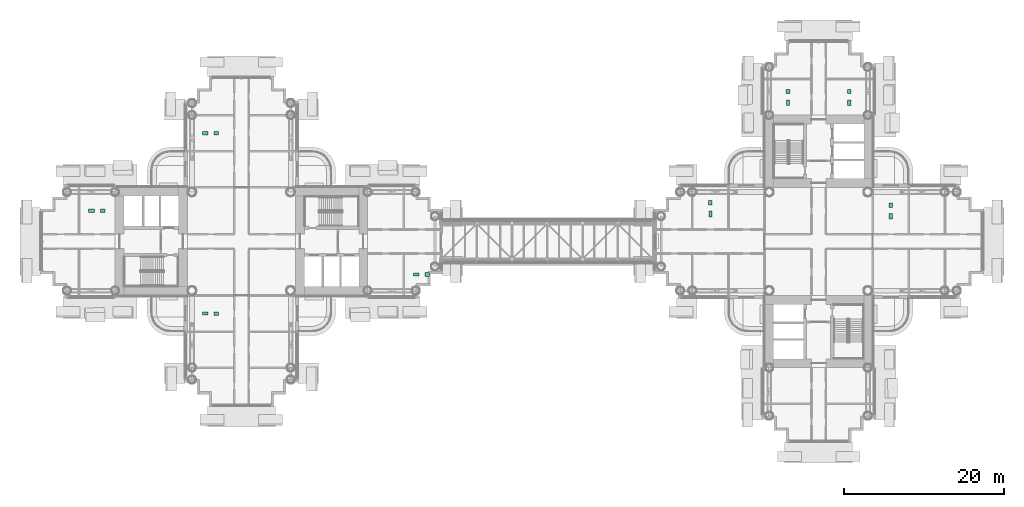
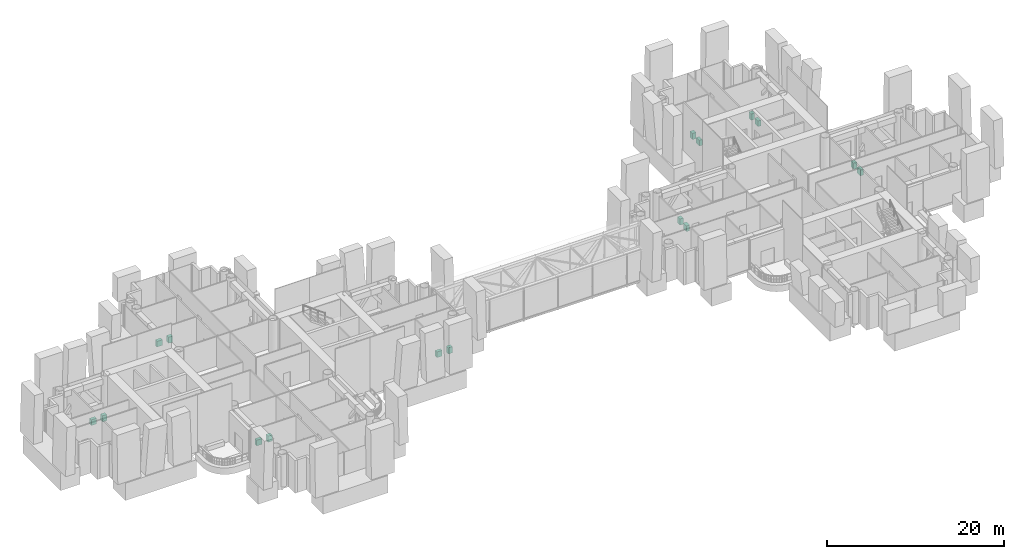
# One storey, part 27 of 27: 16 sanitary terminals.
"""IFC4 building model written with IfcOpenShell, lengths in metres."""

from ifc_helpers import new_model, si_unit, direction, frame, origin, origin_2d, place, context, subcontext, project, spatial, rectangle, extrude, material, type_object, element, save


model = new_model("IFC4")

# Units and contexts
model_context = context("Model", 3, precision=1e-05, world=origin(), true_north=direction((0.0, 1.0)))
body_context = subcontext(model_context, "Body", "Model", "MODEL_VIEW")
ifc_project = project(units=[si_unit("LENGTHUNIT", "METRE"), si_unit("AREAUNIT", "SQUARE_METRE"), si_unit("VOLUMEUNIT", "CUBIC_METRE"), si_unit("PLANEANGLEUNIT", "RADIAN"), si_unit("MASSUNIT", "GRAM", prefix="KILO")], contexts=[model_context])

# Site, building, storey
site_placement = place(None, origin())
site = spatial("IfcSite", under=ifc_project, at=site_placement, CompositionType="ELEMENT")
building_placement = place(site_placement, origin())
building = spatial("IfcBuilding", under=site, at=building_placement, Name="Ipe Terrace Towers", CompositionType="ELEMENT")
storey_placement = place(building_placement, frame((0.0, 0.0, 72.10009765625)))
storey = spatial("IfcBuildingStorey", under=building, at=storey_placement, Name="L19", CompositionType="ELEMENT", Elevation=72.10009765625)

# Sanitary terminals
ifc_material_1 = material(Name="Vitreous china", Category="ceramic")
sanitary_terminal_type_1 = type_object("IfcSanitaryTerminalType", Name="Wash basin", PredefinedType="WASHHANDBASIN", material=ifc_material_1)
for number, where, z_axis, x_axis, name in (
    (1, (-12.800048828125, -4.125, -0.000244140625), (0.0, 0.0, 1.0), (1.0, 0.0, 0.0), "Wash basin"),
    (2, (-53.300048828125, 3.824951171875, -0.000244140625), (0.0, 0.0, 1.0), (1.0, 0.0, 0.0), "Wash basin"),
    (3, (-39.125, 13.5, -0.000244140625), (0.0, 0.0, 1.0), (1.0, 0.0, 0.0), "Wash basin"),
    (4, (-39.125, -9.0, -0.000244140625), (0.0, 0.0, 1.0), (1.0, 0.0, 0.0), "Wash basin"),
    (5, (32.175048828125, 18.699951171875, -0.000244140625), (0.0, 0.0, 1.0), (0.0, 1.0, 0.0), "Wash basin"),
    (6, (39.824951171875, 18.699951171875, -0.000244140625), (0.0, 0.0, 1.0), (0.0, 1.0, 0.0), "Wash basin"),
    (7, (22.5, 4.824951171875, -0.000244140625), (0.0, 0.0, 1.0), (0.0, 1.0, 0.0), "Wash basin"),
    (8, (45.0, 4.52490234375, -0.000244140625), (0.0, 0.0, 1.0), (0.0, 1.0, 0.0), "Wash basin"),
):
    element("IfcSanitaryTerminal", number, at=place(storey_placement, frame(where, z_axis=z_axis, x_axis=x_axis)), inside=storey, type_object=sanitary_terminal_type_1, Name=name, PredefinedType="WASHHANDBASIN", context=body_context, shape_type="SweptSolid", body=[
        extrude(rectangle(XDim=0.550048828125, YDim=0.449951171875, at=origin_2d()), origin(), (0.0, 0.0, 1.0), 0.85009765625),
    ])
ifc_material_2 = material(Name="Vitreous china", Category="ceramic")
sanitary_terminal_type_2 = type_object("IfcSanitaryTerminalType", Name="Water closet", PredefinedType="TOILETPAN", material=ifc_material_2)
for number, where, z_axis, x_axis, name in (
    (9, (-14.199951171875, -4.125, 0.0), (0.0, 0.0, 1.0), (1.0, 0.0, 0.0), "Water closet"),
    (10, (-54.699951171875, 3.824951171875, 0.0), (0.0, 0.0, 1.0), (1.0, 0.0, 0.0), "Water closet"),
    (11, (-40.52490234375, 13.5, 0.0), (0.0, 0.0, 1.0), (1.0, 0.0, 0.0), "Water closet"),
    (12, (-40.52490234375, -9.0, 0.0), (0.0, 0.0, 1.0), (1.0, 0.0, 0.0), "Water closet"),
    (13, (32.175048828125, 17.300048828125, 0.0), (0.0, 0.0, 1.0), (0.0, 1.0, 0.0), "Water closet"),
    (14, (39.824951171875, 17.300048828125, 0.0), (0.0, 0.0, 1.0), (0.0, 1.0, 0.0), "Water closet"),
    (15, (22.5, 3.425048828125, 0.0), (0.0, 0.0, 1.0), (0.0, 1.0, 0.0), "Water closet"),
    (16, (45.0, 3.125, 0.0), (0.0, 0.0, 1.0), (0.0, 1.0, 0.0), "Water closet"),
):
    element("IfcSanitaryTerminal", number, at=place(storey_placement, frame(where, z_axis=z_axis, x_axis=x_axis)), inside=storey, type_object=sanitary_terminal_type_2, Name=name, PredefinedType="TOILETPAN", context=body_context, shape_type="SweptSolid", body=[
        extrude(rectangle(XDim=0.699951171875, YDim=0.39990234375, at=origin_2d()), origin(), (0.0, 0.0, 1.0), 0.780029296875),
    ])

save(model, "model.ifc")
